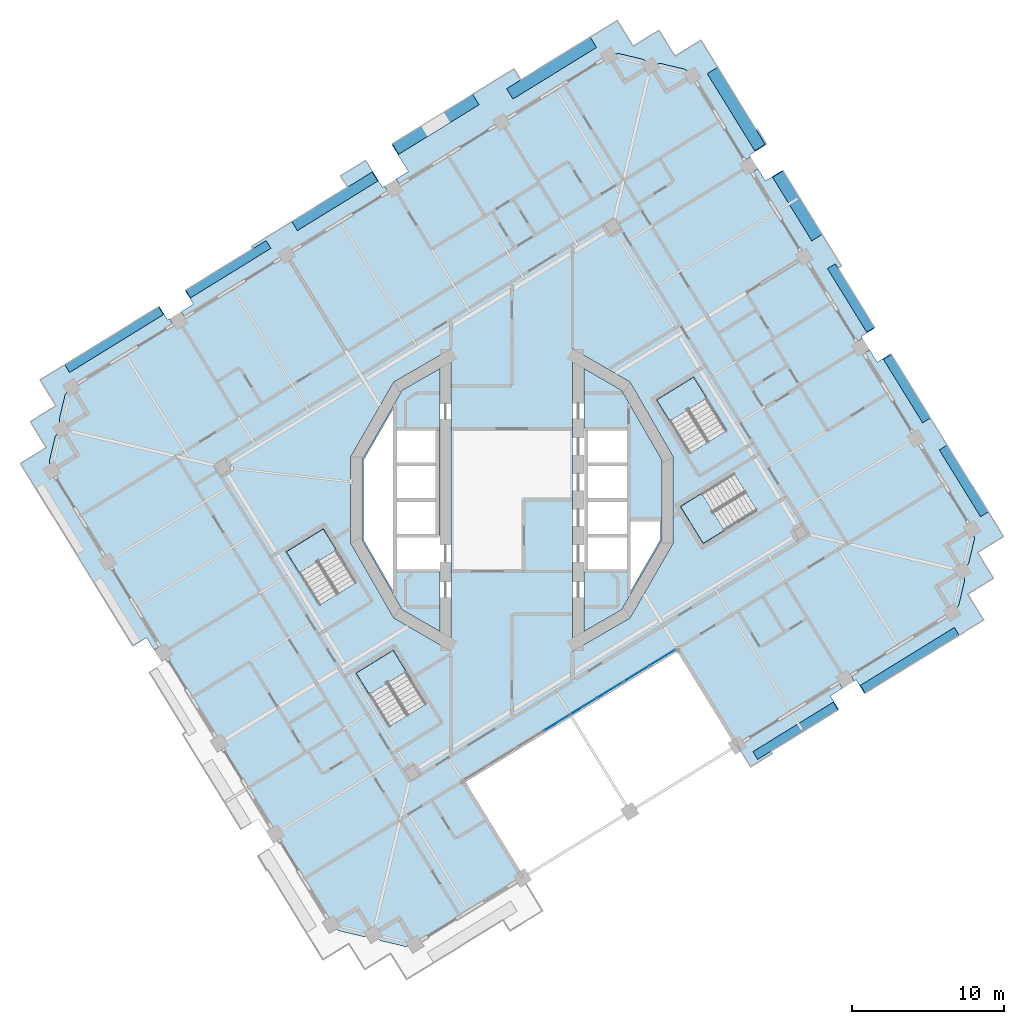
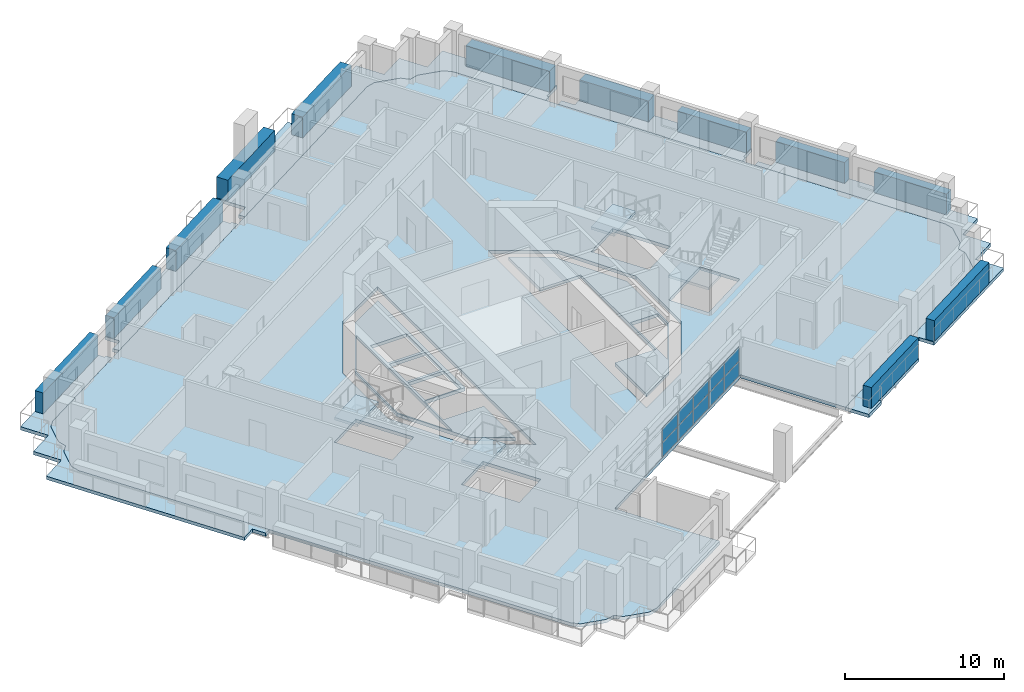
# One storey, part 7 of 22: 22 plates, 13 slabs, 5 elements without a shape of their own.
"""IFC4 building model written with IfcOpenShell, lengths in metres."""

import ifcopenshell
import ifcopenshell.guid

model = None  # the IFC model being written
_history = None  # IfcOwnerHistory: only IFC2X3 demands one
_inside = {}  # id of a spatial element -> (the spatial element, [elements in it])
_under = {}  # id of a project, library or spatial element -> (it, [spatial elements below it])
_declared = {}  # id of a project -> (the project, [libraries it declares])
_typed = {}  # id of a type object -> (the type object, [elements of that type])
_made_of = {}  # id of a material, layer set ... -> (it, [elements and type objects made of it])


def new_model(schema):
    """Start an empty IFC model of exactly this schema.

    Asked for "IFC4X3", IfcOpenShell would pick the latest addendum, in which some entities
    have other attributes; the version numbers below select the first issue.
    IFC2X3 requires an IfcOwnerHistory on every rooted entity: one is made here for all.
    """
    global model, _history
    if schema == "IFC4X3":
        model = ifcopenshell.file(schema_version=(4, 3, 0, 0))
    else:
        model = ifcopenshell.file(schema=schema)
    _inside.clear()
    _under.clear()
    _declared.clear()
    _typed.clear()
    _made_of.clear()
    _history = None
    if model.schema == "IFC2X3":
        org = make("IfcOrganization", Name="unknown")
        user = make(
            "IfcPersonAndOrganization",
            ThePerson=make("IfcPerson", FamilyName="unknown"),
            TheOrganization=org,
        )
        app = make(
            "IfcApplication",
            ApplicationDeveloper=org,
            Version="unknown",
            ApplicationFullName="unknown",
            ApplicationIdentifier="unknown",
        )
        _history = make(
            "IfcOwnerHistory",
            OwningUser=user,
            OwningApplication=app,
            ChangeAction="ADDED",
            CreationDate=0,
        )
    return model


def make(cls, **values):
    """One entity of the class cls with the attributes given. An attribute that is None is left unset."""
    return model.create_entity(
        cls, **{name: value for name, value in values.items() if value is not None}
    )


def rooted(cls, **values):
    """An entity with a GlobalId (a new one), such as an element, a storey or a relation."""
    return make(cls, GlobalId=ifcopenshell.guid.new(), OwnerHistory=_history, **values)


def si_unit(unit_type, name, prefix=None):
    """IfcSIUnit, for example si_unit("LENGTHUNIT", "METRE", prefix="MILLI")."""
    return make("IfcSIUnit", UnitType=unit_type, Prefix=prefix, Name=name)


def assignment(units):
    """IfcUnitAssignment: the units of a project."""
    return None if units is None else make("IfcUnitAssignment", Units=units)


def point(xyz):
    """IfcCartesianPoint."""
    return None if xyz is None else make("IfcCartesianPoint", Coordinates=xyz)


def direction(xyz):
    """IfcDirection."""
    return None if xyz is None else make("IfcDirection", DirectionRatios=xyz)


def frame(location, z_axis=None, x_axis=None):
    """IfcAxis2Placement3D, a coordinate frame: its origin and axes. An axis left out is left unset."""
    return make(
        "IfcAxis2Placement3D",
        Location=point(location),
        Axis=direction(z_axis),
        RefDirection=direction(x_axis),
    )


def frame_2d(location, x_axis=None):
    """IfcAxis2Placement2D, a coordinate frame in the plane: its origin and x axis."""
    return make(
        "IfcAxis2Placement2D", Location=point(location), RefDirection=direction(x_axis)
    )


def origin():
    """The frame at (0, 0, 0) with its axes left unset."""
    return frame((0.0, 0.0, 0.0))


def origin_2d():
    """The frame at (0, 0) in the plane with its x axis left unset."""
    return frame_2d((0.0, 0.0))


def place(relative_to, where):
    """IfcLocalPlacement: puts the frame where relative to a parent placement (None: the world)."""
    return make(
        "IfcLocalPlacement", PlacementRelTo=relative_to, RelativePlacement=where
    )


def context(
    kind, dimensions, precision=None, world=None, true_north=None, identifier=None
):
    """IfcGeometricRepresentationContext, for example the 3D "Model" context."""
    return make(
        "IfcGeometricRepresentationContext",
        ContextIdentifier=identifier,
        ContextType=kind,
        CoordinateSpaceDimension=dimensions,
        Precision=precision,
        WorldCoordinateSystem=world,
        TrueNorth=true_north,
    )


def subcontext(parent, identifier, kind, view, scale=None):
    """IfcGeometricRepresentationSubContext, for example "Body" below "Model"."""
    return make(
        "IfcGeometricRepresentationSubContext",
        ContextIdentifier=identifier,
        ContextType=kind,
        ParentContext=parent,
        TargetScale=scale,
        TargetView=view,
    )


def project(units=None, contexts=None):
    """IfcProject with its units and contexts."""
    return rooted(
        "IfcProject",
        Name="project",
        RepresentationContexts=contexts,
        UnitsInContext=assignment(units),
    )


def spatial(cls, under=None, at=None, **own):
    """A site, building, storey or space (cls), placed at a placement, below another one or the project."""
    s = rooted(cls, ObjectPlacement=at, **own)
    if under is not None:
        _under.setdefault(under.id(), (under, []))[1].append(s)
    return s


def polyline(points):
    """IfcPolyline through the points."""
    return make("IfcPolyline", Points=[point(p) for p in points])


def profile(cls, at=None, kind="AREA", **sizes):
    """A parametric profile (cls). Its sizes go by their IFC names, for example OverallWidth=200.0."""
    return make(cls, ProfileType=kind, Position=at, **sizes)


def rectangle(**sizes):
    """IfcRectangleProfileDef."""
    return profile("IfcRectangleProfileDef", **sizes)


def outline(outer, holes=None, kind="AREA"):
    """IfcArbitraryClosedProfileDef: a profile drawn as a closed curve; with holes, ...WithVoids."""
    if holes is None:
        return make("IfcArbitraryClosedProfileDef", ProfileType=kind, OuterCurve=outer)
    return make(
        "IfcArbitraryProfileDefWithVoids",
        ProfileType=kind,
        OuterCurve=outer,
        InnerCurves=holes,
    )


def extrude(swept, where, along, depth):
    """IfcExtrudedAreaSolid: the profile swept, set in the frame where, extruded along a direction by depth."""
    return make(
        "IfcExtrudedAreaSolid",
        SweptArea=swept,
        Position=where,
        ExtrudedDirection=direction(along),
        Depth=depth,
    )


def shape(context_of_items, identifier, shape_type, items):
    """IfcShapeRepresentation: the items that make up one representation, for example the "Body"."""
    return make(
        "IfcShapeRepresentation",
        ContextOfItems=context_of_items,
        RepresentationIdentifier=identifier,
        RepresentationType=shape_type,
        Items=items,
    )


def material(Name=None, Category=None):
    """IfcMaterial."""
    return make("IfcMaterial", Name=Name, Category=Category)


def layer(
    of_material, thickness, ventilated=None, Name=None, Category=None, Priority=None
):
    """IfcMaterialLayer: one layer of a wall or slab, of a material (None: an air gap)."""
    return make(
        "IfcMaterialLayer",
        Material=of_material,
        LayerThickness=thickness,
        IsVentilated=ventilated,
        Name=Name,
        Category=Category,
        Priority=Priority,
    )


def layer_set(layers, Name=None):
    """IfcMaterialLayerSet."""
    return make("IfcMaterialLayerSet", MaterialLayers=layers, LayerSetName=Name)


def made_of(thing, what):
    """Note that an element or type object is made of a material, layer set ...; save() writes the relation."""
    if what is not None:
        _made_of.setdefault(what.id(), (what, []))[1].append(thing)
    return thing


def type_object(cls, material=None, **own):
    """A type object (cls), such as IfcWallType, which elements share."""
    return made_of(rooted(cls, **own), material)


def element(
    cls,
    number,
    at=None,
    inside=None,
    cuts=None,
    type_object=None,
    material=None,
    context=None,
    identifier="Body",
    shape_type=None,
    held_by="IfcProductDefinitionShape",
    body=None,
    shapes=None,
    **own,
):
    """One element of the class cls, such as IfcWall. Its Tag is "e" and its number.

    at: its placement. inside: the storey or other place that contains it. cuts: it is an
    opening in that element (IfcRelVoidsElement). A single representation is given by context,
    identifier, shape_type and body (its items); several are given by shapes. held_by: the class
    of the entity that holds the representations. save() writes the other relations.
    """
    e = rooted(cls, Tag="e%d" % number, ObjectPlacement=at, **own)
    if body is not None:
        shapes = [shape(context, identifier, shape_type, body)]
    if shapes is not None:
        e.Representation = make(held_by, Representations=shapes)
    if inside is not None:
        _inside.setdefault(inside.id(), (inside, []))[1].append(e)
    if cuts is not None:
        rooted(
            "IfcRelVoidsElement", RelatingBuildingElement=cuts, RelatedOpeningElement=e
        )
    if type_object is not None:
        _typed.setdefault(type_object.id(), (type_object, []))[1].append(e)
    return made_of(e, material)


def aggregate(whole, parts):
    """IfcRelAggregates: a whole, such as a stair, and the parts it consists of."""
    return rooted("IfcRelAggregates", RelatingObject=whole, RelatedObjects=parts)


def save(model, path):
    """Write the relations noted so far, then the file.

    IfcRelAggregates (storeys below a building ...), IfcRelContainedInSpatialStructure (elements
    in a storey), IfcRelDefinesByType, IfcRelAssociatesMaterial and IfcRelDeclares: one each for
    every whole, place, type object, material and project.
    """
    for whole, parts in _under.values():
        aggregate(whole, parts)
    for where, things in _inside.values():
        rooted(
            "IfcRelContainedInSpatialStructure",
            RelatedElements=things,
            RelatingStructure=where,
        )
    for kind, things in _typed.values():
        rooted("IfcRelDefinesByType", RelatedObjects=things, RelatingType=kind)
    for what, things in _made_of.values():
        rooted("IfcRelAssociatesMaterial", RelatedObjects=things, RelatingMaterial=what)
    for by, libraries in _declared.values():
        rooted("IfcRelDeclares", RelatingContext=by, RelatedDefinitions=libraries)
    model.write(path)


model = new_model("IFC4")

# Units and contexts
model_context = context("Model", 3, precision=1e-05, world=origin(), true_north=direction((0.0, 1.0)))
body_context = subcontext(model_context, "Body", "Model", "MODEL_VIEW")
ifc_project = project(units=[si_unit("LENGTHUNIT", "METRE"), si_unit("AREAUNIT", "SQUARE_METRE"), si_unit("VOLUMEUNIT", "CUBIC_METRE"), si_unit("PLANEANGLEUNIT", "RADIAN"), si_unit("MASSUNIT", "GRAM", prefix="KILO")], contexts=[model_context])

# Site, building, storey
site_placement = place(None, origin())
site = spatial("IfcSite", under=ifc_project, at=site_placement, CompositionType="ELEMENT")
building_placement = place(site_placement, origin())
building = spatial("IfcBuilding", under=site, at=building_placement, Name="Cantera Rosa Tower", CompositionType="ELEMENT")
storey_placement = place(building_placement, frame((0.0, 0.0, 178.0)))
storey = spatial("IfcBuildingStorey", under=building, at=storey_placement, Name="L39", CompositionType="ELEMENT", Elevation=178.0)

# Slabs
ifc_material_1 = material(Name="Concrete C35/45", Category="concrete")
ifc_layer_1 = layer(ifc_material_1, 0.25)
ifc_layer_set_1 = layer_set([ifc_layer_1], Name="COMPOSITE FLOOR SLAB 250 C35/45")
slab_type_1 = type_object("IfcSlabType", Name="COMPOSITE FLOOR SLAB 250 C35/45", PredefinedType="FLOOR", material=ifc_layer_set_1)
slab_1_placement = place(storey_placement, frame((0.0, 0.0, -0.25)))
element("IfcSlab", 1, at=slab_1_placement, inside=storey, type_object=slab_type_1, Name="SLAB L39 floor 1", PredefinedType="FLOOR", context=body_context, shape_type="SweptSolid", body=[
    extrude(outline(polyline([(-7.699951171875, -2.35009765625), (-7.699951171875, -4.699951171875), (-4.75, -4.699951171875), (-4.75, -8.660400390625), (-7.22900390625, -7.22900390625), (-9.875244140625, -2.64599609375), (-9.875244140625, 2.64599609375), (-7.22900390625, 7.22900390625), (-4.75, 8.660400390625), (-4.75, -2.35009765625), (-7.699951171875, -2.35009765625)]), holes=[polyline([(-7.60009765625, -0.10009765625), (-7.60009765625, -2.25), (-5.0, -2.25), (-5.0, -0.10009765625), (-7.60009765625, -0.10009765625)]), polyline([(-7.800048828125, 6.040283203125), (-9.775146484375, 2.619384765625), (-9.775146484375, -2.619384765625), (-7.800048828125, -6.040283203125), (-7.800048828125, 6.040283203125)]), polyline([(-7.60009765625, 2.25), (-7.60009765625, 0.10009765625), (-5.0, 0.10009765625), (-5.0, 2.25), (-7.60009765625, 2.25)]), polyline([(-7.60009765625, 4.60009765625), (-7.60009765625, 2.449951171875), (-5.0, 2.449951171875), (-5.0, 4.60009765625), (-7.60009765625, 4.60009765625)])]), origin(), (0.0, 0.0, 1.0), 0.25),
])
slab_2_placement = place(storey_placement, frame((0.0, 0.0, -0.25)))
element("IfcSlab", 2, at=slab_2_placement, inside=storey, type_object=slab_type_1, Name="SLAB L39 floor 2", PredefinedType="FLOOR", context=body_context, shape_type="SweptSolid", body=[
    extrude(outline(polyline([(-8.647705078125, -29.0283203125), (-8.673828125, -29.014892578125), (-8.698486328125, -28.998779296875), (-8.721435546875, -28.98046875), (-9.14208984375, -28.60888671875), (-9.684814453125, -28.752197265625), (-9.713623046875, -28.75830078125), (-9.742919921875, -28.761474609375), (-9.772216796875, -28.76171875), (-9.801513671875, -28.75927734375), (-9.83056640625, -28.75390625), (-11.34423828125, -28.395263671875), (-11.37255859375, -28.386962890625), (-11.39990234375, -28.376220703125), (-11.426025390625, -28.362548828125), (-11.45068359375, -28.346435546875), (-11.4736328125, -28.328125), (-11.894287109375, -27.95654296875), (-12.408935546875, -27.122314453125), (-30.321044921875, 1.917724609375), (-30.46435546875, 2.460205078125), (-30.470458984375, 2.489013671875), (-30.4736328125, 2.518310546875), (-30.47412109375, 2.5478515625), (-30.4716796875, 2.5771484375), (-30.46630859375, 2.606201171875), (-30.107421875, 4.119873046875), (-30.09912109375, 4.148193359375), (-30.08837890625, 4.17529296875), (-30.07470703125, 4.20166015625), (-30.05859375, 4.226318359375), (-30.040283203125, 4.249267578125), (-29.668701171875, 4.669921875), (-29.81201171875, 5.21240234375), (-29.818115234375, 5.2412109375), (-29.8212890625, 5.2705078125), (-29.82177734375, 5.300048828125), (-29.8193359375, 5.329345703125), (-29.81396484375, 5.3583984375), (-29.455078125, 6.8720703125), (-29.447021484375, 6.900390625), (-29.43603515625, 6.927490234375), (-29.422607421875, 6.953857421875), (-29.406494140625, 6.978515625), (-29.38818359375, 7.00146484375), (-29.0166015625, 7.422119140625), (6.389892578125, 29.260986328125), (6.9326171875, 29.404296875), (6.96142578125, 29.410400390625), (6.99072265625, 29.413818359375), (7.02001953125, 29.4140625), (7.049560546875, 29.41162109375), (7.078369140625, 29.40625), (8.592041015625, 29.047607421875), (8.620361328125, 29.039306640625), (8.647705078125, 29.0283203125), (8.673828125, 29.014892578125), (8.698486328125, 28.998779296875), (8.721435546875, 28.98046875), (9.14208984375, 28.60888671875), (9.684814453125, 28.752197265625), (9.713623046875, 28.75830078125), (9.742919921875, 28.761474609375), (9.772216796875, 28.76171875), (9.801513671875, 28.75927734375), (9.83056640625, 28.75390625), (11.34423828125, 28.395263671875), (11.37255859375, 28.386962890625), (11.39990234375, 28.376220703125), (11.426025390625, 28.362548828125), (11.45068359375, 28.346435546875), (11.4736328125, 28.328125), (11.894287109375, 27.95654296875), (30.321044921875, -1.917724609375), (30.46435546875, -2.460205078125), (30.470458984375, -2.489013671875), (30.4736328125, -2.518310546875), (30.47412109375, -2.5478515625), (30.4716796875, -2.5771484375), (30.46630859375, -2.606201171875), (30.107421875, -4.119873046875), (30.09912109375, -4.148193359375), (30.08837890625, -4.17529296875), (30.07470703125, -4.20166015625), (30.05859375, -4.226318359375), (30.040283203125, -4.249267578125), (29.668701171875, -4.669921875), (29.81201171875, -5.21240234375), (29.818115234375, -5.2412109375), (29.8212890625, -5.2705078125), (29.82177734375, -5.300048828125), (29.8193359375, -5.329345703125), (29.81396484375, -5.3583984375), (29.455078125, -6.8720703125), (29.447021484375, -6.900390625), (29.43603515625, -6.927490234375), (29.422607421875, -6.953857421875), (29.406494140625, -6.978515625), (29.38818359375, -7.00146484375), (29.0166015625, -7.422119140625), (28.18212890625, -7.9365234375), (14.85400390625, -16.15771484375), (10.91650390625, -9.7744140625), (-3.24609375, -18.510009765625), (0.69140625, -24.893310546875), (-6.389892578125, -29.260986328125), (-6.9326171875, -29.404296875), (-6.96142578125, -29.410400390625), (-6.99072265625, -29.413818359375), (-7.02001953125, -29.4140625), (-7.049560546875, -29.41162109375), (-7.078369140625, -29.40625), (-8.592041015625, -29.047607421875), (-8.620361328125, -29.039306640625), (-8.647705078125, -29.0283203125)]), holes=[polyline([(-5.658447265625, -13.433349609375), (-7.830810546875, -9.911376953125), (-10.256591796875, -11.407470703125), (-8.084228515625, -14.929443359375), (-5.658447265625, -13.433349609375)]), polyline([(-10.258544921875, -5.433349609375), (-12.430908203125, -1.911376953125), (-14.8564453125, -3.407470703125), (-12.68408203125, -6.929443359375), (-10.258544921875, -5.433349609375)]), polyline([(-7.7783203125, 7.7783203125), (-10.625244140625, 2.846923828125), (-10.625244140625, -2.846923828125), (-7.7783203125, -7.7783203125), (-4.0, -9.95947265625), (-4.0, 9.95947265625), (-7.7783203125, 7.7783203125)]), polyline([(14.63330078125, 1.741455078125), (11.111328125, -0.430908203125), (12.607421875, -2.8564453125), (16.12939453125, -0.68408203125), (14.63330078125, 1.741455078125)]), polyline([(7.7783203125, -7.7783203125), (10.625244140625, -2.846923828125), (10.625244140625, 2.846923828125), (7.7783203125, 7.7783203125), (4.0, 9.95947265625), (4.0, -9.95947265625), (7.7783203125, -7.7783203125)]), polyline([(11.7158203125, 3.070556640625), (14.1416015625, 4.566650390625), (11.96923828125, 8.088623046875), (9.54345703125, 6.592529296875), (11.7158203125, 3.070556640625)])]), origin(), (0.0, 0.0, 1.0), 0.25),
])
slab_3_placement = place(storey_placement, frame((0.0, 0.0, -0.25)))
element("IfcSlab", 3, at=slab_3_placement, inside=storey, type_object=slab_type_1, Name="SLAB L39 floor 3", PredefinedType="FLOOR", context=body_context, shape_type="SweptSolid", body=[
    extrude(outline(polyline([(4.75, 4.699951171875), (4.75, 8.660400390625), (7.22900390625, 7.22900390625), (9.875244140625, 2.64599609375), (9.875244140625, -2.64599609375), (7.22900390625, -7.22900390625), (4.75, -8.660400390625), (4.75, -4.699951171875), (7.699951171875, -4.699951171875), (7.699951171875, -2.35009765625), (7.699951171875, 0.0), (7.699951171875, 2.35009765625), (7.699951171875, 4.699951171875), (4.75, 4.699951171875)]), holes=[polyline([(9.775146484375, -2.619384765625), (9.775146484375, -1.3828125), (7.800048828125, -1.3828125), (7.800048828125, -2.25), (7.800048828125, -2.449951171875), (7.800048828125, -6.040283203125), (9.775146484375, -2.619384765625)])]), origin(), (0.0, 0.0, 1.0), 0.25),
])

# Curtain wall, plates
ifc_material_2 = material(Name="Aluminium frame with clear glass", Category="aluminium")
curtain_wall_type = type_object("IfcCurtainWallType", Name="CW1 TERRACE POCKET GLAZING", PredefinedType="NOTDEFINED", material=ifc_material_2)
curtain_wall_placement = place(storey_placement, origin())
curtain_wall = element("IfcCurtainWall", 4, at=curtain_wall_placement, inside=storey, type_object=curtain_wall_type, Name="CW1 CW1", PredefinedType="NOTDEFINED")
ifc_material_3 = material(Name="Aluminium frame with clear glass", Category="aluminium")
ifc_layer_2 = layer(ifc_material_3, 0.028076171875)
ifc_layer_set_2 = layer_set([ifc_layer_2], Name="CW-PANEL POCKET")
plate_type_1 = type_object("IfcPlateType", Name="CW-PANEL POCKET", PredefinedType="CURTAIN_PANEL", material=ifc_layer_set_2)
plate_1_placement = place(storey_placement, frame((2.96337890625, -14.679931640625, 0.06005859375), z_axis=(0.0, 0.0, 1.0), x_axis=(0.851116672425, 0.524976580354, 0.0)))
plate_1 = element("IfcPlate", 5, at=plate_1_placement, type_object=plate_type_1, Name="CW1 panel 4.1", PredefinedType="CURTAIN_PANEL", context=body_context, shape_type="SweptSolid", body=[
    extrude(rectangle(XDim=1.98876953125, YDim=0.028076171875, at=origin_2d()), origin(), (0.0, 0.0, 1.0), 1.0791015625),
])
plate_2_placement = place(storey_placement, frame((2.96337890625, -14.679931640625, 1.198974609375), z_axis=(0.0, 0.0, 1.0), x_axis=(0.851116672425, 0.524976580354, 0.0)))
plate_2 = element("IfcPlate", 6, at=plate_2_placement, type_object=plate_type_1, Name="CW1 panel 4.2", PredefinedType="CURTAIN_PANEL", context=body_context, shape_type="SweptSolid", body=[
    extrude(rectangle(XDim=1.98876953125, YDim=0.028076171875, at=origin_2d()), origin(), (0.0, 0.0, 1.0), 1.0791015625),
])
plate_3_placement = place(storey_placement, frame((4.70703125, -13.604248046875, 0.06005859375), z_axis=(0.0, 0.0, 1.0), x_axis=(0.851116672425, 0.524976580354, 0.0)))
plate_3 = element("IfcPlate", 7, at=plate_3_placement, type_object=plate_type_1, Name="CW1 panel 5.1", PredefinedType="CURTAIN_PANEL", context=body_context, shape_type="SweptSolid", body=[
    extrude(rectangle(XDim=1.98876953125, YDim=0.028076171875, at=origin_2d()), origin(), (0.0, 0.0, 1.0), 1.0791015625),
])
plate_4_placement = place(storey_placement, frame((4.70703125, -13.604248046875, 1.198974609375), z_axis=(0.0, 0.0, 1.0), x_axis=(0.851116672425, 0.524976580354, 0.0)))
plate_4 = element("IfcPlate", 8, at=plate_4_placement, type_object=plate_type_1, Name="CW1 panel 5.2", PredefinedType="CURTAIN_PANEL", context=body_context, shape_type="SweptSolid", body=[
    extrude(rectangle(XDim=1.98876953125, YDim=0.028076171875, at=origin_2d()), origin(), (0.0, 0.0, 1.0), 1.0791015625),
])
plate_5_placement = place(storey_placement, frame((6.450927734375, -12.52880859375, 0.06005859375), z_axis=(0.0, 0.0, 1.0), x_axis=(0.851116672425, 0.524976580354, 0.0)))
plate_5 = element("IfcPlate", 9, at=plate_5_placement, type_object=plate_type_1, Name="CW1 panel 6.1", PredefinedType="CURTAIN_PANEL", context=body_context, shape_type="SweptSolid", body=[
    extrude(rectangle(XDim=1.98876953125, YDim=0.028076171875, at=origin_2d()), origin(), (0.0, 0.0, 1.0), 1.0791015625),
])
plate_6_placement = place(storey_placement, frame((6.450927734375, -12.52880859375, 1.198974609375), z_axis=(0.0, 0.0, 1.0), x_axis=(0.851116672425, 0.524976580354, 0.0)))
plate_6 = element("IfcPlate", 10, at=plate_6_placement, type_object=plate_type_1, Name="CW1 panel 6.2", PredefinedType="CURTAIN_PANEL", context=body_context, shape_type="SweptSolid", body=[
    extrude(rectangle(XDim=1.98876953125, YDim=0.028076171875, at=origin_2d()), origin(), (0.0, 0.0, 1.0), 1.0791015625),
])
plate_7_placement = place(storey_placement, frame((8.194580078125, -11.453125, 0.06005859375), z_axis=(0.0, 0.0, 1.0), x_axis=(0.851116672425, 0.524976580354, 0.0)))
plate_7 = element("IfcPlate", 11, at=plate_7_placement, type_object=plate_type_1, Name="CW1 panel 7.1", PredefinedType="CURTAIN_PANEL", context=body_context, shape_type="SweptSolid", body=[
    extrude(rectangle(XDim=1.98876953125, YDim=0.028076171875, at=origin_2d()), origin(), (0.0, 0.0, 1.0), 1.0791015625),
])
plate_8_placement = place(storey_placement, frame((8.194580078125, -11.453125, 1.198974609375), z_axis=(0.0, 0.0, 1.0), x_axis=(0.851116672425, 0.524976580354, 0.0)))
plate_8 = element("IfcPlate", 12, at=plate_8_placement, type_object=plate_type_1, Name="CW1 panel 7.2", PredefinedType="CURTAIN_PANEL", context=body_context, shape_type="SweptSolid", body=[
    extrude(rectangle(XDim=1.98876953125, YDim=0.028076171875, at=origin_2d()), origin(), (0.0, 0.0, 1.0), 1.0791015625),
])
plate_9_placement = place(storey_placement, frame((9.925537109375, -10.385498046875, 0.06005859375), z_axis=(0.0, 0.0, 1.0), x_axis=(0.851116672425, 0.524976580354, 0.0)))
plate_9 = element("IfcPlate", 13, at=plate_9_placement, type_object=plate_type_1, Name="CW1 panel 8.1", PredefinedType="CURTAIN_PANEL", context=body_context, shape_type="SweptSolid", body=[
    extrude(rectangle(XDim=1.958740234375, YDim=0.028076171875, at=origin_2d()), origin(), (0.0, 0.0, 1.0), 1.0791015625),
])
plate_10_placement = place(storey_placement, frame((9.925537109375, -10.385498046875, 1.198974609375), z_axis=(0.0, 0.0, 1.0), x_axis=(0.851116672425, 0.524976580354, 0.0)))
plate_10 = element("IfcPlate", 14, at=plate_10_placement, type_object=plate_type_1, Name="CW1 panel 8.2", PredefinedType="CURTAIN_PANEL", context=body_context, shape_type="SweptSolid", body=[
    extrude(rectangle(XDim=1.958740234375, YDim=0.028076171875, at=origin_2d()), origin(), (0.0, 0.0, 1.0), 1.0791015625),
])
aggregate(curtain_wall, [plate_1, plate_2, plate_3, plate_4, plate_5, plate_6, plate_7, plate_8, plate_9, plate_10])

# Slabs
ifc_material_4 = material(Name="Concrete C35/45", Category="concrete")
ifc_layer_3 = layer(ifc_material_4, 0.25)
ifc_layer_set_3 = layer_set([ifc_layer_3], Name="LOGGIA SLAB 250 C35/45")
slab_type_2 = type_object("IfcSlabType", Name="LOGGIA SLAB 250 C35/45", PredefinedType="FLOOR", material=ifc_layer_set_3)
slab_4_placement = place(storey_placement, frame((0.0, 0.0, -0.25)))
element("IfcSlab", 15, at=slab_4_placement, inside=storey, type_object=slab_type_2, Name="LOGGIA SLAB L39 1", PredefinedType="FLOOR", context=body_context, shape_type="SweptSolid", body=[
    extrude(outline(polyline([(-28.69970703125, -3.568115234375), (-31.59765625, 1.130126953125), (-32.38525390625, 2.406982421875), (-31.1083984375, 3.1943359375), (-30.682861328125, 3.456787109375), (-30.9453125, 3.88232421875), (-31.73291015625, 5.1591796875), (-30.456298828125, 5.946533203125), (-30.03076171875, 6.208984375), (-30.293212890625, 6.634521484375), (-31.08056640625, 7.911376953125), (-29.803955078125, 8.69873046875), (-23.999267578125, 12.279052734375), (-23.2333984375, 12.75146484375), (-22.68212890625, 11.85791015625), (-22.554443359375, 11.9365234375), (-22.318115234375, 11.5537109375), (-29.0166015625, 7.422119140625), (-29.38818359375, 7.00146484375), (-29.406494140625, 6.978515625), (-29.422607421875, 6.953857421875), (-29.43603515625, 6.927490234375), (-29.447021484375, 6.900390625), (-29.455078125, 6.8720703125), (-29.81396484375, 5.3583984375), (-29.8193359375, 5.329345703125), (-29.82177734375, 5.300048828125), (-29.8212890625, 5.2705078125), (-29.818115234375, 5.2412109375), (-29.81201171875, 5.21240234375), (-29.668701171875, 4.669921875), (-30.040283203125, 4.249267578125), (-30.05859375, 4.226318359375), (-30.07470703125, 4.20166015625), (-30.08837890625, 4.17529296875), (-30.09912109375, 4.148193359375), (-30.107421875, 4.119873046875), (-30.46630859375, 2.606201171875), (-30.4716796875, 2.5771484375), (-30.47412109375, 2.5478515625), (-30.4736328125, 2.518310546875), (-30.470458984375, 2.489013671875), (-30.46435546875, 2.460205078125), (-30.321044921875, 1.917724609375), (-23.1865234375, -9.64892578125), (-23.569580078125, -9.88525390625), (-24.068359375, -9.07666015625), (-24.9619140625, -9.6279296875), (-25.014404296875, -9.542724609375), (-27.125, -6.121337890625), (-28.69970703125, -3.568115234375)])), origin(), (0.0, 0.0, 1.0), 0.25),
])
slab_5_placement = place(storey_placement, frame((0.0, 0.0, -0.25)))
element("IfcSlab", 16, at=slab_5_placement, inside=storey, type_object=slab_type_2, Name="LOGGIA SLAB L39 3", PredefinedType="FLOOR", context=body_context, shape_type="SweptSolid", body=[
    extrude(outline(polyline([(-17.160400390625, 16.704345703125), (-10.824462890625, 20.6123046875), (-11.2841796875, 21.357666015625), (-9.622802734375, 22.38232421875), (-8.51953125, 20.593505859375), (-8.391845703125, 20.672119140625), (-8.155517578125, 20.289306640625), (-21.55224609375, 12.026123046875), (-21.788330078125, 12.4091796875), (-20.97998046875, 12.90771484375), (-21.531005859375, 13.801513671875), (-21.446044921875, 13.85400390625), (-17.068115234375, 16.554443359375), (-17.160400390625, 16.704345703125)])), origin(), (0.0, 0.0, 1.0), 0.25),
])
slab_6_placement = place(storey_placement, frame((0.0, 0.0, -0.25)))
element("IfcSlab", 17, at=slab_6_placement, inside=storey, type_object=slab_type_2, Name="LOGGIA SLAB L39 5", PredefinedType="FLOOR", context=body_context, shape_type="SweptSolid", body=[
    extrude(outline(polyline([(5.49755859375, 30.7080078125), (6.9443359375, 31.600341796875), (7.8369140625, 30.153564453125), (7.994384765625, 29.898193359375), (8.249755859375, 30.0556640625), (9.696533203125, 30.9482421875), (10.589111328125, 29.501220703125), (10.74658203125, 29.245849609375), (11.001953125, 29.4033203125), (12.44873046875, 30.2958984375), (13.34130859375, 28.84912109375), (16.09228515625, 24.388916015625), (16.16015625, 24.4306640625), (16.779296875, 23.426513671875), (15.647705078125, 22.728515625), (15.7265625, 22.600830078125), (15.343505859375, 22.36474609375), (11.894287109375, 27.95654296875), (11.4736328125, 28.328125), (11.45068359375, 28.346435546875), (11.426025390625, 28.362548828125), (11.39990234375, 28.376220703125), (11.37255859375, 28.386962890625), (11.34423828125, 28.395263671875), (9.83056640625, 28.75390625), (9.801513671875, 28.75927734375), (9.772216796875, 28.76171875), (9.742919921875, 28.761474609375), (9.713623046875, 28.75830078125), (9.684814453125, 28.752197265625), (9.14208984375, 28.60888671875), (8.721435546875, 28.98046875), (8.698486328125, 28.998779296875), (8.673828125, 29.014892578125), (8.647705078125, 29.0283203125), (8.620361328125, 29.039306640625), (8.592041015625, 29.047607421875), (7.078369140625, 29.40625), (7.049560546875, 29.41162109375), (7.02001953125, 29.4140625), (6.99072265625, 29.413818359375), (6.96142578125, 29.410400390625), (6.9326171875, 29.404296875), (6.389892578125, 29.260986328125), (-7.3896484375, 20.76171875), (-7.625732421875, 21.144775390625), (-6.8173828125, 21.643310546875), (-7.920654296875, 23.432373046875), (0.14111328125, 28.40478515625), (0.588134765625, 27.6796875), (5.49755859375, 30.7080078125)])), origin(), (0.0, 0.0, 1.0), 0.25),
])
slab_7_placement = place(storey_placement, frame((0.0, 0.0, -0.25)))
element("IfcSlab", 18, at=slab_7_placement, inside=storey, type_object=slab_type_2, Name="LOGGIA SLAB L39 6", PredefinedType="FLOOR", context=body_context, shape_type="SweptSolid", body=[
    extrude(outline(polyline([(21.55224609375, -12.026123046875), (21.788330078125, -12.4091796875), (20.97998046875, -12.90771484375), (21.531005859375, -13.801513671875), (21.446044921875, -13.85400390625), (17.068115234375, -16.554443359375), (17.160400390625, -16.704345703125), (15.73388671875, -17.584228515625), (14.85400390625, -16.15771484375), (21.55224609375, -12.026123046875)])), origin(), (0.0, 0.0, 1.0), 0.25),
])
slab_8_placement = place(storey_placement, frame((0.0, 0.0, -0.25)))
element("IfcSlab", 19, at=slab_8_placement, inside=storey, type_object=slab_type_2, Name="LOGGIA SLAB L39 7", PredefinedType="FLOOR", context=body_context, shape_type="SweptSolid", body=[
    extrude(outline(polyline([(23.439697265625, 12.09619140625), (23.912109375, 11.330078125), (23.018310546875, 10.77880859375), (23.09716796875, 10.651123046875), (22.714111328125, 10.4150390625), (15.81591796875, 21.5986328125), (16.198974609375, 21.8349609375), (16.69775390625, 21.0263671875), (17.829345703125, 21.724365234375), (21.714111328125, 15.426513671875), (21.47607421875, 15.279541015625), (23.439697265625, 12.09619140625)])), origin(), (0.0, 0.0, 1.0), 0.25),
])
slab_9_placement = place(storey_placement, frame((0.0, 0.0, -0.25)))
element("IfcSlab", 20, at=slab_9_placement, inside=storey, type_object=slab_type_2, Name="LOGGIA SLAB L39 8", PredefinedType="FLOOR", context=body_context, shape_type="SweptSolid", body=[
    extrude(outline(polyline([(28.69970703125, 3.568115234375), (31.59765625, -1.130126953125), (32.38525390625, -2.406982421875), (31.1083984375, -3.1943359375), (30.682861328125, -3.456787109375), (30.9453125, -3.88232421875), (31.73291015625, -5.1591796875), (30.456298828125, -5.946533203125), (30.03076171875, -6.208984375), (30.293212890625, -6.634521484375), (31.08056640625, -7.911376953125), (29.803955078125, -8.69873046875), (23.999267578125, -12.279052734375), (23.2333984375, -12.75146484375), (22.68212890625, -11.85791015625), (22.554443359375, -11.9365234375), (22.318115234375, -11.5537109375), (28.18212890625, -7.9365234375), (29.0166015625, -7.422119140625), (29.38818359375, -7.00146484375), (29.406494140625, -6.978515625), (29.422607421875, -6.953857421875), (29.43603515625, -6.927490234375), (29.447021484375, -6.900390625), (29.455078125, -6.8720703125), (29.81396484375, -5.3583984375), (29.8193359375, -5.329345703125), (29.82177734375, -5.300048828125), (29.8212890625, -5.2705078125), (29.818115234375, -5.2412109375), (29.81201171875, -5.21240234375), (29.668701171875, -4.669921875), (30.040283203125, -4.249267578125), (30.05859375, -4.226318359375), (30.07470703125, -4.20166015625), (30.08837890625, -4.17529296875), (30.09912109375, -4.148193359375), (30.107421875, -4.119873046875), (30.46630859375, -2.606201171875), (30.4716796875, -2.5771484375), (30.47412109375, -2.5478515625), (30.4736328125, -2.518310546875), (30.470458984375, -2.489013671875), (30.46435546875, -2.460205078125), (30.321044921875, -1.917724609375), (23.1865234375, 9.64892578125), (23.569580078125, 9.88525390625), (24.068359375, 9.07666015625), (24.9619140625, 9.6279296875), (25.014404296875, 9.542724609375), (27.125, 6.121337890625), (28.69970703125, 3.568115234375)])), origin(), (0.0, 0.0, 1.0), 0.25),
])

# Plates
ifc_material_5 = material(Name="Cantera stone planter with soil", Category="masonry")
plate_type_2 = type_object("IfcPlateType", Name="PLANTER 600", PredefinedType="USERDEFINED", material=ifc_material_5)
plate_11_placement = place(storey_placement, frame((29.775390625, 1.2529296875, 0.0), z_axis=(0.0, 0.0, 1.0), x_axis=(-0.52497658034, 0.851116672434, 0.0)))
element("IfcPlate", 21, at=plate_11_placement, inside=storey, type_object=plate_type_2, Name="PLANTER L39-01", ObjectType="PLANTER", PredefinedType="USERDEFINED", context=body_context, shape_type="SweptSolid", body=[
    extrude(rectangle(XDim=5.169921875, YDim=0.60009765625, at=origin_2d()), origin(), (0.0, 0.0, 1.0), 1.60009765625),
])
for number, where, z_axis, x_axis, name in (
    (22, (26.0244140625, 7.333984375, 0.0), (0.0, 0.0, 1.0), (-0.52497658034, 0.851116672434, 0.0), "PLANTER L39-02"),
    (23, (22.339111328125, 13.308837890625, 0.0), (0.0, 0.0, 1.0), (-0.52497658034, 0.851116672434, 0.0), "PLANTER L39-03"),
):
    element("IfcPlate", number, at=place(storey_placement, frame(where, z_axis=z_axis, x_axis=x_axis)), inside=storey, type_object=plate_type_2, Name=name, ObjectType="PLANTER", PredefinedType="USERDEFINED", context=body_context, shape_type="SweptSolid", body=[
        extrude(rectangle(XDim=4.919921875, YDim=0.60009765625, at=origin_2d()), origin(), (0.0, 0.0, 1.0), 1.60009765625),
    ])
plate_12_placement = place(storey_placement, frame((-18.68408203125, 15.205078125, 0.0), z_axis=(0.0, 0.0, 1.0), x_axis=(-0.851116672434, -0.52497658034, 0.0)))
element("IfcPlate", 24, at=plate_12_placement, inside=storey, type_object=plate_type_2, Name="PLANTER L39-09", ObjectType="PLANTER", PredefinedType="USERDEFINED", context=body_context, shape_type="SweptSolid", body=[
    extrude(rectangle(XDim=6.219970703125, YDim=0.60009765625, at=origin_2d()), origin(), (0.0, 0.0, 1.0), 1.60009765625),
])
plate_13_placement = place(storey_placement, frame((-26.212158203125, 10.561767578125, 0.0), z_axis=(0.0, 0.0, 1.0), x_axis=(-0.851116672434, -0.52497658034, 0.0)))
element("IfcPlate", 25, at=plate_13_placement, inside=storey, type_object=plate_type_2, Name="PLANTER L39-10", ObjectType="PLANTER", PredefinedType="USERDEFINED", context=body_context, shape_type="SweptSolid", body=[
    extrude(rectangle(XDim=7.27001953125, YDim=0.60009765625, at=origin_2d()), origin(), (0.0, 0.0, 1.0), 1.60009765625),
])
plate_14_placement = place(storey_placement, frame((18.68408203125, -15.205078125, 0.0), z_axis=(0.0, 0.0, 1.0), x_axis=(0.851116672434, 0.52497658034, 0.0)))
element("IfcPlate", 26, at=plate_14_placement, inside=storey, type_object=plate_type_2, Name="PLANTER L39-19", ObjectType="PLANTER", PredefinedType="USERDEFINED", context=body_context, shape_type="SweptSolid", body=[
    extrude(rectangle(XDim=6.219970703125, YDim=0.60009765625, at=origin_2d()), origin(), (0.0, 0.0, 1.0), 1.60009765625),
])
plate_15_placement = place(storey_placement, frame((26.212158203125, -10.561767578125, 0.0), z_axis=(0.0, 0.0, 1.0), x_axis=(0.851116672434, 0.52497658034, 0.0)))
element("IfcPlate", 27, at=plate_15_placement, inside=storey, type_object=plate_type_2, Name="PLANTER L39-20", ObjectType="PLANTER", PredefinedType="USERDEFINED", context=body_context, shape_type="SweptSolid", body=[
    extrude(rectangle(XDim=7.27001953125, YDim=0.60009765625, at=origin_2d()), origin(), (0.0, 0.0, 1.0), 1.60009765625),
])
ifc_material_6 = material(Name="Cantera stone planter with soil", Category="masonry")
plate_type_3 = type_object("IfcPlateType", Name="PLANTER 700", PredefinedType="USERDEFINED", material=ifc_material_6)
plate_16_placement = place(storey_placement, frame((-11.6689453125, 19.68017578125, 0.0), z_axis=(0.0, 0.0, 1.0), x_axis=(-0.851116672434, -0.52497658034, 0.0)))
element("IfcPlate", 28, at=plate_16_placement, inside=storey, type_object=plate_type_3, Name="PLANTER L39-08", ObjectType="PLANTER", PredefinedType="USERDEFINED", context=body_context, shape_type="SweptSolid", body=[
    extrude(rectangle(XDim=6.219970703125, YDim=0.699951171875, at=origin_2d()), origin(), (0.0, 0.0, 1.0), 1.60009765625),
])
ifc_material_7 = material(Name="Cantera stone planter with soil", Category="masonry")
plate_type_4 = type_object("IfcPlateType", Name="PLANTER 800", PredefinedType="USERDEFINED", material=ifc_material_7)
plate_17_placement = place(storey_placement, frame((18.806640625, 19.378173828125, 0.0), z_axis=(0.0, 0.0, 1.0), x_axis=(-0.52497658034, 0.851116672434, 0.0)))
element("IfcPlate", 29, at=plate_17_placement, inside=storey, type_object=plate_type_4, Name="PLANTER L39-04", ObjectType="PLANTER", PredefinedType="USERDEFINED", context=body_context, shape_type="SweptSolid", body=[
    extrude(rectangle(XDim=4.919921875, YDim=0.800048828125, at=origin_2d()), origin(), (0.0, 0.0, 1.0), 1.60009765625),
])
plate_18_placement = place(storey_placement, frame((14.77783203125, 25.758056640625, 0.0), z_axis=(0.0, 0.0, 1.0), x_axis=(-0.52497658034, 0.851116672434, 0.0)))
element("IfcPlate", 30, at=plate_18_placement, inside=storey, type_object=plate_type_4, Name="PLANTER L39-05", ObjectType="PLANTER", PredefinedType="USERDEFINED", context=body_context, shape_type="SweptSolid", body=[
    extrude(rectangle(XDim=5.969970703125, YDim=0.800048828125, at=origin_2d()), origin(), (0.0, 0.0, 1.0), 1.60009765625),
])
plate_19_placement = place(storey_placement, frame((2.61376953125, 28.459228515625, 0.0), z_axis=(0.0, 0.0, 1.0), x_axis=(-0.851116672434, -0.52497658034, 0.0)))
element("IfcPlate", 31, at=plate_19_placement, inside=storey, type_object=plate_type_4, Name="PLANTER L39-06", ObjectType="PLANTER", PredefinedType="USERDEFINED", context=body_context, shape_type="SweptSolid", body=[
    extrude(rectangle(XDim=6.469970703125, YDim=0.800048828125, at=origin_2d()), origin(), (0.0, 0.0, 1.0), 1.60009765625),
])
plate_20_placement = place(storey_placement, frame((-5.021240234375, 24.750732421875, 0.0), z_axis=(0.0, 0.0, 1.0), x_axis=(-0.851116672434, -0.52497658034, 0.0)))
element("IfcPlate", 32, at=plate_20_placement, inside=storey, type_object=plate_type_4, Name="PLANTER L39-07", ObjectType="PLANTER", PredefinedType="USERDEFINED", context=body_context, shape_type="SweptSolid", body=[
    extrude(rectangle(XDim=6.219970703125, YDim=0.800048828125, at=origin_2d()), origin(), (0.0, 0.0, 1.0), 1.60009765625),
])

# Stair, slab
ifc_material_8 = material(Name="Concrete C35/45", Category="concrete")
stair_type = type_object("IfcStairType", Name="EXIT STAIR 1350 DOGLEG", PredefinedType="HALF_TURN_STAIR", material=ifc_material_8)
stair_1_placement = place(storey_placement, origin())
stair_1 = element("IfcStair", 33, at=stair_1_placement, inside=storey, type_object=stair_type, Name="L39 ST-31", PredefinedType="HALF_TURN_STAIR")
ifc_material_9 = material(Name="Concrete C35/45", Category="concrete")
ifc_layer_4 = layer(ifc_material_9, 0.199951171875)
ifc_layer_set_4 = layer_set([ifc_layer_4], Name="STAIR LANDING 200")
slab_type_3 = type_object("IfcSlabType", Name="STAIR LANDING 200", PredefinedType="LANDING", material=ifc_layer_set_4)
slab_10_placement = place(storey_placement, frame((0.0, 0.0, 1.699951171875)))
slab_10 = element("IfcSlab", 34, at=slab_10_placement, type_object=slab_type_3, Name="ST-31 landing 1", PredefinedType="LANDING", context=body_context, shape_type="SweptSolid", body=[
    extrude(outline(polyline([(12.8310546875, 6.691162109375), (11.96923828125, 8.088623046875), (9.54345703125, 6.592529296875), (10.405517578125, 5.19482421875), (12.8310546875, 6.691162109375)])), origin(), (0.0, 0.0, 1.0), 0.199951171875),
])
aggregate(stair_1, [slab_10])

stair_2_placement = place(storey_placement, origin())
stair_2 = element("IfcStair", 35, at=stair_2_placement, inside=storey, type_object=stair_type, Name="L39 ST-32", PredefinedType="HALF_TURN_STAIR")
slab_11_placement = place(storey_placement, frame((0.0, 0.0, 1.699951171875)))
slab_11 = element("IfcSlab", 36, at=slab_11_placement, type_object=slab_type_3, Name="ST-32 landing 1", PredefinedType="LANDING", context=body_context, shape_type="SweptSolid", body=[
    extrude(outline(polyline([(-11.56884765625, -3.308837890625), (-12.430908203125, -1.911376953125), (-14.8564453125, -3.407470703125), (-13.99462890625, -4.80517578125), (-11.56884765625, -3.308837890625)])), origin(), (0.0, 0.0, 1.0), 0.199951171875),
])
aggregate(stair_2, [slab_11])

stair_3_placement = place(storey_placement, origin())
stair_3 = element("IfcStair", 37, at=stair_3_placement, inside=storey, type_object=stair_type, Name="L39 ST-33", PredefinedType="HALF_TURN_STAIR")
slab_12_placement = place(storey_placement, frame((0.0, 0.0, 1.699951171875)))
slab_12 = element("IfcSlab", 38, at=slab_12_placement, type_object=slab_type_3, Name="ST-33 landing 1", PredefinedType="LANDING", context=body_context, shape_type="SweptSolid", body=[
    extrude(outline(polyline([(-6.96875, -11.308837890625), (-7.830810546875, -9.911376953125), (-10.256591796875, -11.407470703125), (-9.39453125, -12.80517578125), (-6.96875, -11.308837890625)])), origin(), (0.0, 0.0, 1.0), 0.199951171875),
])
aggregate(stair_3, [slab_12])

stair_4_placement = place(storey_placement, origin())
stair_4 = element("IfcStair", 39, at=stair_4_placement, inside=storey, type_object=stair_type, Name="L39 ST-34", PredefinedType="HALF_TURN_STAIR")
slab_13_placement = place(storey_placement, frame((0.0, 0.0, 1.699951171875)))
slab_13 = element("IfcSlab", 40, at=slab_13_placement, type_object=slab_type_3, Name="ST-34 landing 1", PredefinedType="LANDING", context=body_context, shape_type="SweptSolid", body=[
    extrude(outline(polyline([(12.5087890625, 0.43115234375), (11.111328125, -0.430908203125), (12.607421875, -2.8564453125), (14.005126953125, -1.99462890625), (12.5087890625, 0.43115234375)])), origin(), (0.0, 0.0, 1.0), 0.199951171875),
])
aggregate(stair_4, [slab_13])

save(model, "model.ifc")
